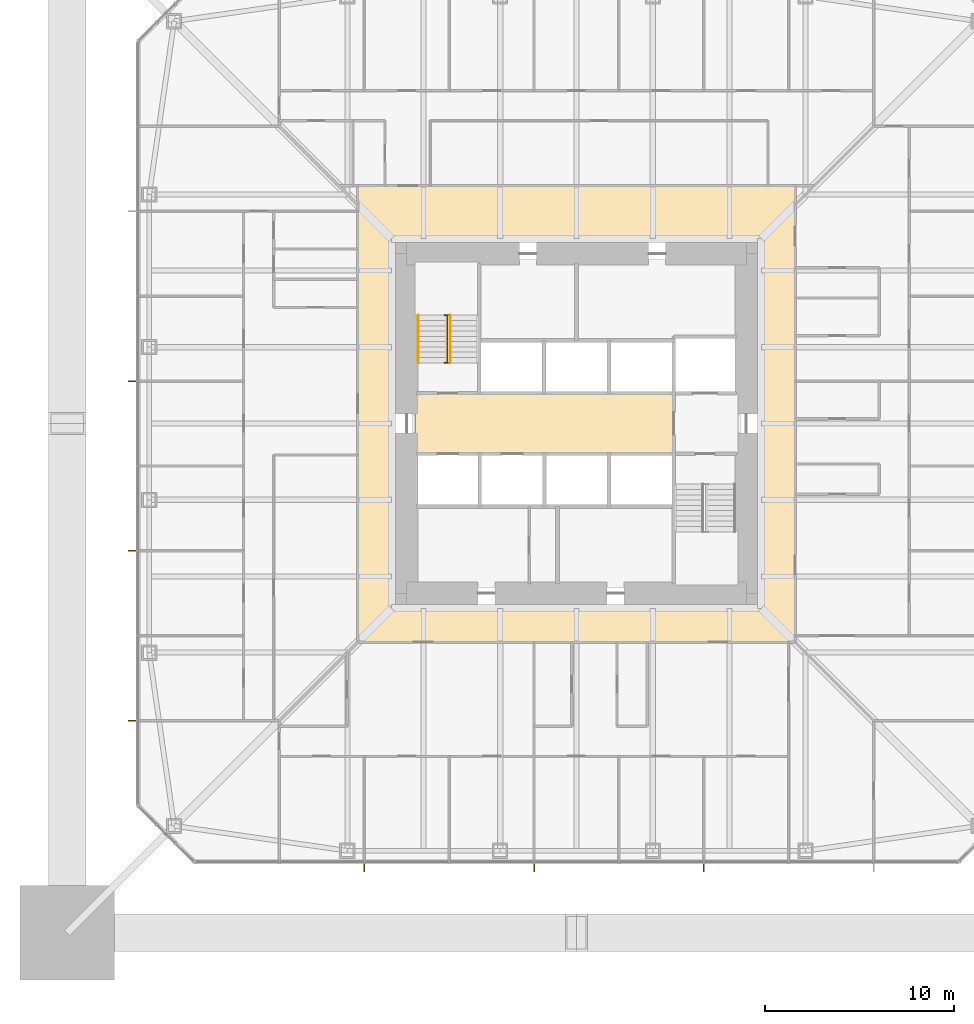
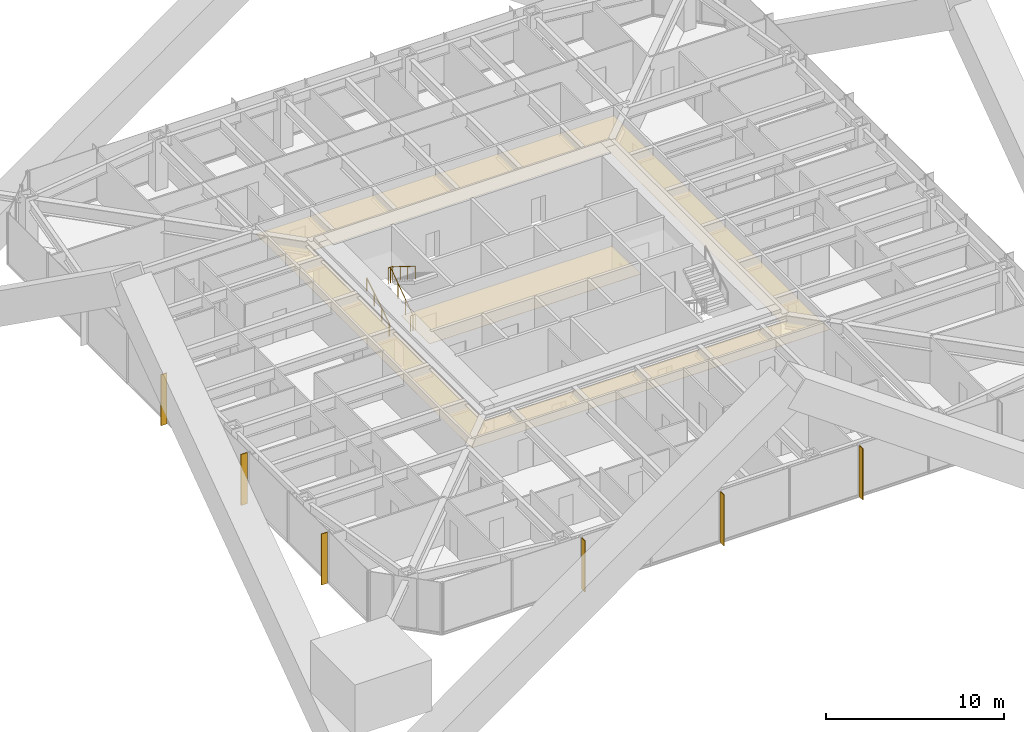
# One storey, part 25 of 28: 6 shading devices, 3 railings, 2 coverings.
"""IFC4 building model written with IfcOpenShell, lengths in metres."""

from ifc_helpers import new_model, si_unit, direction, frame, origin, origin_2d, place, context, subcontext, project, spatial, polyline, rectangle, circle, outline, extrude, material, layer, layer_set, constituent, constituent_set, type_object, element, save


model = new_model("IFC4")

# Units and contexts
model_context = context("Model", 3, precision=1e-05, world=origin(), true_north=direction((0.0, 1.0)))
body_context = subcontext(model_context, "Body", "Model", "MODEL_VIEW")
ifc_project = project(units=[si_unit("LENGTHUNIT", "METRE"), si_unit("AREAUNIT", "SQUARE_METRE"), si_unit("VOLUMEUNIT", "CUBIC_METRE"), si_unit("PLANEANGLEUNIT", "RADIAN"), si_unit("MASSUNIT", "GRAM", prefix="KILO")], contexts=[model_context])

# Site, building, storey
site_placement = place(None, origin())
site = spatial("IfcSite", under=ifc_project, at=site_placement, CompositionType="ELEMENT")
building_placement = place(site_placement, origin())
building = spatial("IfcBuilding", under=site, at=building_placement, Name="Iwan Alto Co-Living Towers", CompositionType="ELEMENT")
storey_placement = place(building_placement, frame((0.0, 0.0, 43.0)))
storey = spatial("IfcBuildingStorey", under=building, at=storey_placement, Name="L11", CompositionType="ELEMENT", Elevation=43.0)

# Covering
ifc_material_1 = material(Name="Mineral fibre acoustic tiles on steel grid", Category="steel")
ifc_layer_1 = layer(ifc_material_1, 0.02001953125)
ifc_layer_set_1 = layer_set([ifc_layer_1], Name="ACOUSTIC TILE CEILING 20")
covering_type_1 = type_object("IfcCoveringType", Name="ACOUSTIC TILE CEILING 20", PredefinedType="CEILING", material=ifc_layer_set_1)
covering_1_placement = place(storey_placement, frame((0.0, 0.0, 2.60009765625)))
element("IfcCovering", 1, at=covering_1_placement, inside=storey, type_object=covering_type_1, Name="Ceiling Lift lobby L11", PredefinedType="CEILING", context=body_context, shape_type="SweptSolid", body=[
    extrude(outline(polyline([(-8.550048828125, -1.60009765625), (-8.550048828125, 1.60009765625), (5.14990234375, 1.60009765625), (5.14990234375, -1.60009765625), (-8.550048828125, -1.60009765625)])), origin(), (0.0, 0.0, 1.0), 0.02001953125),
])

# Shading devices
ifc_material_2 = material(Name="Aluminium 6063-T6 bronze anodised", Category="aluminium")
ifc_layer_2 = layer(ifc_material_2, 0.050048828125)
ifc_layer_set_2 = layer_set([ifc_layer_2], Name="BRONZE FIN 50X400")
shading_device_type = type_object("IfcShadingDeviceType", Name="BRONZE FIN 50X400", PredefinedType="USERDEFINED", material=ifc_layer_set_2)
for number, where, z_axis, x_axis, name in (
    (2, (-11.25, -23.550048828125, 0.0), (0.0, 0.0, 1.0), (1.0, 0.0, 0.0), "Bronze fin L11"),
    (3, (-2.25, -23.550048828125, 0.0), (0.0, 0.0, 1.0), (1.0, 0.0, 0.0), "Bronze fin L11"),
    (4, (6.75, -23.550048828125, 0.0), (0.0, 0.0, 1.0), (1.0, 0.0, 0.0), "Bronze fin L11"),
    (5, (-23.550048828125, 2.25, 0.0), (0.0, 0.0, 1.0), (0.0, -1.0, 0.0), "Bronze fin L11"),
    (6, (-23.550048828125, -6.75, 0.0), (0.0, 0.0, 1.0), (0.0, -1.0, 0.0), "Bronze fin L11"),
    (7, (-23.550048828125, -15.75, 0.0), (0.0, 0.0, 1.0), (0.0, -1.0, 0.0), "Bronze fin L11"),
):
    element("IfcShadingDevice", number, at=place(storey_placement, frame(where, z_axis=z_axis, x_axis=x_axis)), inside=storey, type_object=shading_device_type, Name=name, ObjectType="LOUVER", PredefinedType="USERDEFINED", context=body_context, shape_type="SweptSolid", body=[
        extrude(rectangle(XDim=0.050048828125, YDim=0.39990234375, at=origin_2d()), origin(), (0.0, 0.0, 1.0), 3.5),
    ])

# Railings
ifc_material_3 = material(Name="Steel ASTM A500 Gr C", Category="steel")
ifc_constituent_1 = constituent(ifc_material_3, Name="Rails and posts", Category="Framing")
ifc_material_4 = material(Name="Steel ASTM A36", Category="steel")
ifc_constituent_2 = constituent(ifc_material_4, Name="Bar infill", Category="Infill")
ifc_constituent_set = constituent_set(constituents=[ifc_constituent_1, ifc_constituent_2], Name="STAIR GUARD 1100")
railing_type_1 = type_object("IfcRailingType", Name="STAIR GUARD 1100", PredefinedType="GUARDRAIL", material=ifc_constituent_set)
railing_1_placement = place(storey_placement, frame((-6.85009765625, 3.219970703125, 0.0)))
element("IfcRailing", 8, at=railing_1_placement, inside=storey, type_object=railing_type_1, Name="Stair T1-S1 well guard L11", PredefinedType="GUARDRAIL", context=body_context, shape_type="SweptSolid", body=[
    extrude(circle(Radius=0.02392578125, at=origin_2d()), frame((0.0, 0.0, 1.076171875), z_axis=(0.0, 0.821372036852, 0.570392826987), x_axis=(-1.0, 0.0, 0.0)), (0.0, 0.0, 1.0), 3.068115234375),
    extrude(circle(Radius=0.02392578125, at=origin_2d()), frame((-0.14990234375, 0.0, 1.076171875), z_axis=(1.0, 0.0, 0.0), x_axis=(0.0, 1.0, 0.0)), (0.0, 0.0, 1.0), 0.300048828125),
    extrude(circle(Radius=0.02392578125, at=origin_2d()), frame((-0.14990234375, 2.52001953125, 2.826171875), z_axis=(1.0, 0.0, 0.0), x_axis=(0.0, 1.0, 0.0)), (0.0, 0.0, 1.0), 0.300048828125),
    extrude(circle(Radius=0.02099609375, at=origin_2d()), origin(), (0.0, 0.0, 1.0), 1.052001953125),
    extrude(circle(Radius=0.02099609375, at=origin_2d()), frame((0.0, 0.840087890625, 0.583251953125)), (0.0, 0.0, 1.0), 1.052001953125),
    extrude(circle(Radius=0.02099609375, at=origin_2d()), frame((0.0, 1.679931640625, 1.166748046875)), (0.0, 0.0, 1.0), 1.052001953125),
    extrude(circle(Radius=0.02099609375, at=origin_2d()), frame((0.0, 2.52001953125, 1.75)), (0.0, 0.0, 1.0), 1.052001953125),
    extrude(circle(Radius=0.02099609375, at=origin_2d()), frame((-0.14990234375, 0.0, 0.0)), (0.0, 0.0, 1.0), 1.052001953125),
    extrude(circle(Radius=0.02099609375, at=origin_2d()), frame((0.150146484375, 0.0, 0.0)), (0.0, 0.0, 1.0), 1.052001953125),
    extrude(circle(Radius=0.02099609375, at=origin_2d()), frame((-0.14990234375, 2.52001953125, 1.75)), (0.0, 0.0, 1.0), 1.052001953125),
    extrude(circle(Radius=0.02099609375, at=origin_2d()), frame((0.150146484375, 2.52001953125, 1.75)), (0.0, 0.0, 1.0), 1.052001953125),
])
ifc_material_5 = material(Name="Steel ASTM A500 Gr C", Category="steel")
railing_type_2 = type_object("IfcRailingType", Name="STAIR HANDRAIL 900", PredefinedType="HANDRAIL", material=ifc_material_5)
railing_2_placement = place(storey_placement, frame((-8.3798828125, 3.219970703125, 0.175048828125)))
element("IfcRailing", 9, at=railing_2_placement, inside=storey, type_object=railing_type_2, Name="Stair T1-S1 handrail 1 L11", PredefinedType="HANDRAIL", context=body_context, shape_type="SweptSolid", body=[
    extrude(circle(Radius=0.02392578125, at=origin_2d()), frame((0.0, 0.0, 0.8759765625), z_axis=(0.0, 0.848007534815, 0.529984170421), x_axis=(-1.0, 0.0, 0.0)), (0.0, 0.0, 1.0), 2.9716796875),
    extrude(circle(Radius=0.02099609375, at=origin_2d()), origin(), (0.0, 0.0, 1.0), 0.851806640625),
    extrude(circle(Radius=0.02099609375, at=origin_2d()), frame((0.0, 0.840087890625, 0.52490234375)), (0.0, 0.0, 1.0), 0.851806640625),
    extrude(circle(Radius=0.02099609375, at=origin_2d()), frame((0.0, 1.679931640625, 1.050048828125)), (0.0, 0.0, 1.0), 0.851806640625),
    extrude(circle(Radius=0.02099609375, at=origin_2d()), frame((0.0, 2.52001953125, 1.574951171875)), (0.0, 0.0, 1.0), 0.851806640625),
])
railing_3_placement = place(storey_placement, frame((-6.699951171875, 5.739990234375, 1.925048828125)))
element("IfcRailing", 10, at=railing_3_placement, inside=storey, type_object=railing_type_2, Name="Stair T1-S1 handrail 2 L11", PredefinedType="HANDRAIL", context=body_context, shape_type="SweptSolid", body=[
    extrude(circle(Radius=0.02392578125, at=origin_2d()), frame((0.0, 0.0, 0.8759765625), z_axis=(0.0, -0.848007534815, 0.529984170421), x_axis=(1.0, 0.0, 0.0)), (0.0, 0.0, 1.0), 2.9716796875),
    extrude(circle(Radius=0.02099609375, at=origin_2d()), origin(), (0.0, 0.0, 1.0), 0.851806640625),
    extrude(circle(Radius=0.02099609375, at=origin_2d()), frame((0.0, -0.840087890625, 0.52490234375)), (0.0, 0.0, 1.0), 0.851806640625),
    extrude(circle(Radius=0.02099609375, at=origin_2d()), frame((0.0, -1.679931640625, 1.050048828125)), (0.0, 0.0, 1.0), 0.851806640625),
    extrude(circle(Radius=0.02099609375, at=origin_2d()), frame((0.0, -2.52001953125, 1.574951171875)), (0.0, 0.0, 1.0), 0.851806640625),
])

# Covering
ifc_material_6 = material(Name="Gypsum plasterboard on steel grid", Category="steel")
ifc_layer_3 = layer(ifc_material_6, 0.014892578125)
ifc_layer_set_3 = layer_set([ifc_layer_3], Name="SUSPENDED PLASTERBOARD CEILING 15")
covering_type_2 = type_object("IfcCoveringType", Name="SUSPENDED PLASTERBOARD CEILING 15", PredefinedType="CEILING", material=ifc_layer_set_3)
covering_2_placement = place(storey_placement, frame((0.0, 0.0, 2.60009765625)))
element("IfcCovering", 11, at=covering_2_placement, inside=storey, type_object=covering_type_2, Name="Ceiling Corridor L11", PredefinedType="CEILING", context=body_context, shape_type="SweptSolid", body=[
    extrude(outline(polyline([(-11.60009765625, 12.60009765625), (11.60009765625, 12.60009765625), (11.60009765625, -11.60009765625), (-11.60009765625, -11.60009765625), (-11.60009765625, 12.60009765625)]), holes=[polyline([(-9.60009765625, 9.60009765625), (-9.60009765625, -9.60009765625), (9.60009765625, -9.60009765625), (9.60009765625, 9.60009765625), (-9.60009765625, 9.60009765625)])]), origin(), (0.0, 0.0, 1.0), 0.014892578125),
])

save(model, "model.ifc")
